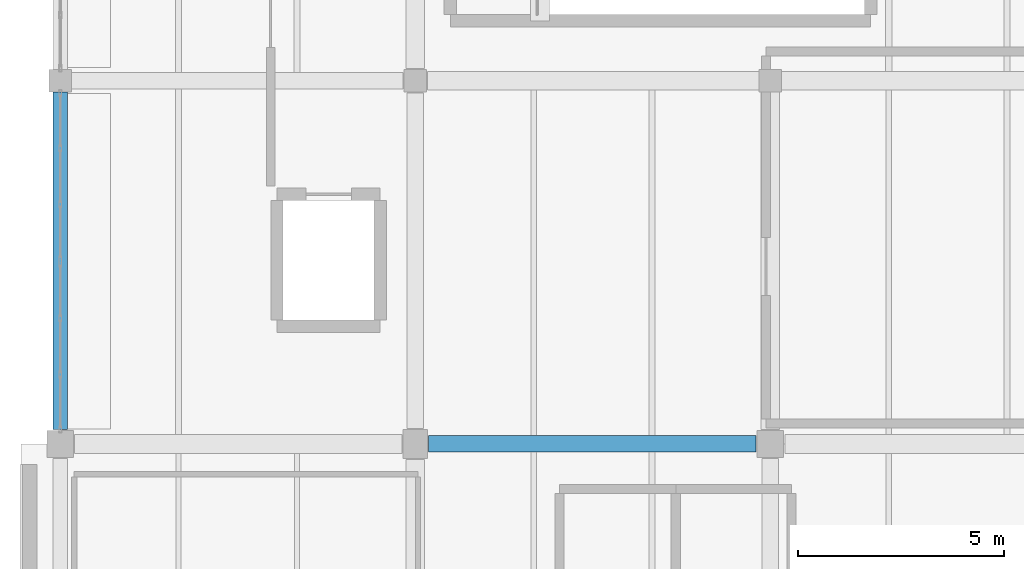
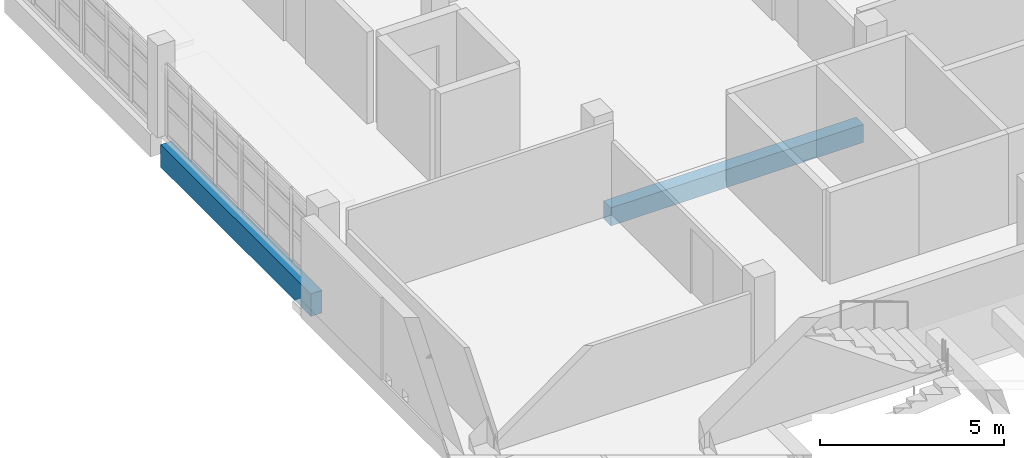
# One storey, part 8 of 34: 2 beams.
"""IFC4 building model written with IfcOpenShell, lengths in metres."""

from ifc_helpers import new_model, si_unit, direction, frame, origin, origin_2d, place, context, subcontext, project, spatial, rectangle, extrude, material, material_profile, profile_set, type_object, element, save


model = new_model("IFC4")

# Units and contexts
model_context = context("Model", 3, precision=1e-05, world=origin(), true_north=direction((0.0, 1.0)))
body_context = subcontext(model_context, "Body", "Model", "MODEL_VIEW")
ifc_project = project(units=[si_unit("LENGTHUNIT", "METRE"), si_unit("AREAUNIT", "SQUARE_METRE"), si_unit("VOLUMEUNIT", "CUBIC_METRE"), si_unit("PLANEANGLEUNIT", "RADIAN"), si_unit("MASSUNIT", "GRAM", prefix="KILO")], contexts=[model_context])

# Site, building, storey
site_placement = place(None, origin())
site = spatial("IfcSite", under=ifc_project, at=site_placement, CompositionType="ELEMENT")
building_placement = place(site_placement, origin())
building = spatial("IfcBuilding", under=site, at=building_placement, Name="Varnakota Cinema and Media Centre", CompositionType="ELEMENT")
storey_placement = place(building_placement, frame((0.0, 0.0, 19.050048828125)))
storey = spatial("IfcBuildingStorey", under=building, at=storey_placement, Name="L05", CompositionType="ELEMENT", Elevation=19.050048828125)

# Beams
ifc_material_1 = material(Name="Concrete M35", Category="concrete")
ifc_material_profile_1 = material_profile(ifc_material_1, rectangle(XDim=0.39990234375, YDim=0.60009765625, at=origin_2d()), Name="RCB 400x600")
ifc_profile_set_1 = profile_set([ifc_material_profile_1], Name="Concrete M35")
beam_type_1 = type_object("IfcBeamType", Name="BM-RC-400x600", PredefinedType="BEAM", material=ifc_profile_set_1)
beam_1_placement = place(storey_placement, frame((8.925048828125, 35.199951171875, -0.550048828125), z_axis=(1.0, 0.0, 0.0), x_axis=(0.0, 1.0, 0.0)))
element("IfcBeam", 1, at=beam_1_placement, inside=storey, type_object=beam_type_1, Name="L05 girder B-C/5", PredefinedType="BEAM", context=body_context, shape_type="SweptSolid", body=[
    extrude(rectangle(XDim=0.39990234375, YDim=0.60009765625, at=origin_2d()), origin(), (0.0, 0.0, 1.0), 7.925048828125),
])
ifc_material_2 = material(Name="Concrete M40", Category="concrete")
ifc_material_profile_2 = material_profile(ifc_material_2, rectangle(XDim=0.35009765625, YDim=0.75, at=origin_2d()), Name="RCB 350x750")
ifc_profile_set_2 = profile_set([ifc_material_profile_2], Name="Concrete M40")
beam_type_2 = type_object("IfcBeamType", Name="BM-SP-350x750", PredefinedType="SPANDREL", material=ifc_profile_set_2)
beam_2_placement = place(storey_placement, frame((0.0, 35.550048828125, -0.625), z_axis=(0.0, 1.0, 0.0), x_axis=(-1.0, 0.0, 0.0)))
element("IfcBeam", 2, at=beam_2_placement, inside=storey, type_object=beam_type_2, Name="L05 girder A/5-6", PredefinedType="SPANDREL", context=body_context, shape_type="SweptSolid", body=[
    extrude(rectangle(XDim=0.35009765625, YDim=0.75, at=origin_2d()), origin(), (0.0, 0.0, 1.0), 8.175048828125),
])

save(model, "model.ifc")
